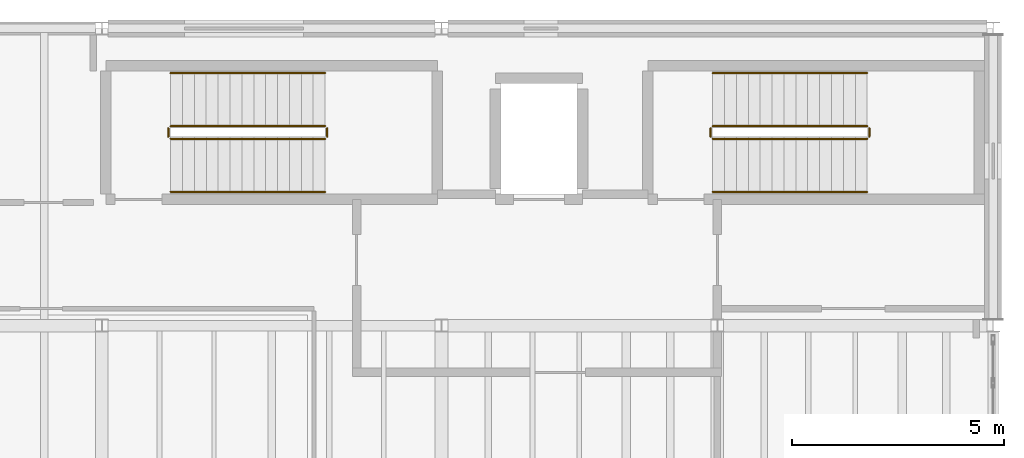
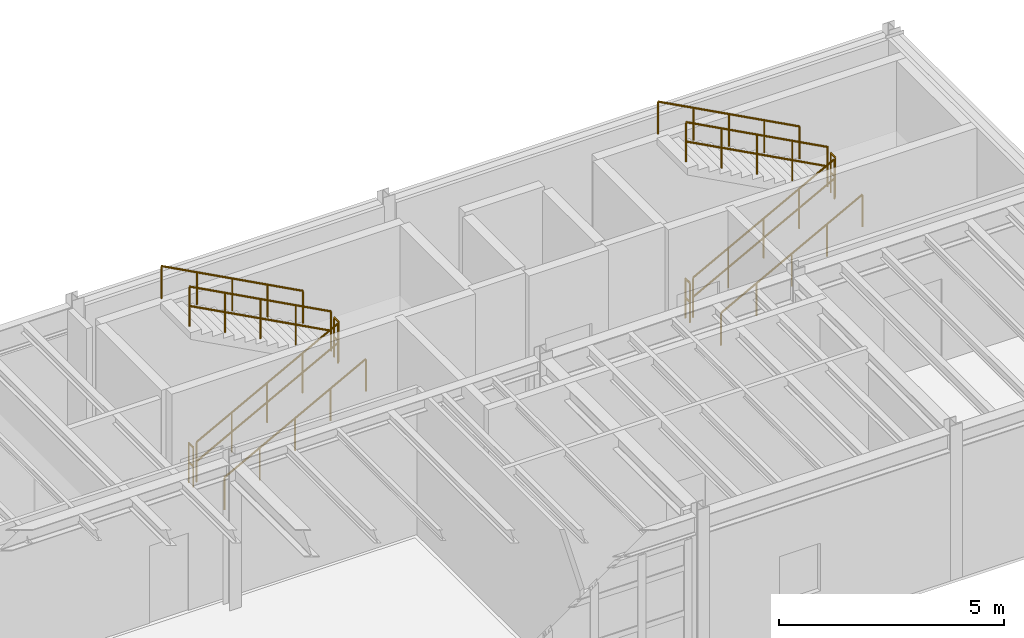
# One storey, part 11 of 11: 12 railings.
"""IFC4 building model written with IfcOpenShell, lengths in metres."""

from ifc_helpers import new_model, si_unit, direction, frame, origin, origin_2d, place, context, subcontext, project, spatial, circle, extrude, material, type_object, element, save


model = new_model("IFC4")

# Units and contexts
model_context = context("Model", 3, precision=1e-05, world=origin(), true_north=direction((0.0, 1.0)))
body_context = subcontext(model_context, "Body", "Model", "MODEL_VIEW")
ifc_project = project(units=[si_unit("LENGTHUNIT", "METRE"), si_unit("AREAUNIT", "SQUARE_METRE"), si_unit("VOLUMEUNIT", "CUBIC_METRE"), si_unit("PLANEANGLEUNIT", "RADIAN"), si_unit("MASSUNIT", "GRAM", prefix="KILO"), si_unit("THERMODYNAMICTEMPERATUREUNIT", "KELVIN"), si_unit("POWERUNIT", "WATT")], contexts=[model_context])

# Site, building, storey
site_placement = place(None, origin())
site = spatial("IfcSite", under=ifc_project, at=site_placement, CompositionType="ELEMENT")
building_placement = place(site_placement, origin())
building = spatial("IfcBuilding", under=site, at=building_placement, Name="Zhenchuan Central Fire Station", CompositionType="ELEMENT")
storey_placement = place(building_placement, frame((0.0, 0.0, 18.449951171875)))
storey = spatial("IfcBuildingStorey", under=building, at=storey_placement, Name="L05", CompositionType="ELEMENT", Elevation=18.449951171875)

# Railings
ifc_material_1 = material(Name="Galvanised powder-coated steel", Category="steel")
railing_type_1 = type_object("IfcRailingType", Name="RL-ST-GRD", PredefinedType="GUARDRAIL", material=ifc_material_1)
railing_1_placement = place(storey_placement, frame((141.6201171875, 53.89990234375, 0.150146484375)))
element("IfcRailing", 1, at=railing_1_placement, inside=storey, type_object=railing_type_1, Name="L05 ST-12 stair guard 1", PredefinedType="GUARDRAIL", context=body_context, shape_type="SweptSolid", body=[
    extrude(circle(Radius=0.02392578125, at=origin_2d()), frame((0.0, 0.0, 1.076171875), z_axis=(0.881479091078, 0.0, 0.472223053219), x_axis=(0.0, 1.0, 0.0)), (0.0, 0.0, 1.0), 4.12939453125),
    extrude(circle(Radius=0.02392578125, at=origin_2d()), frame((0.0, 0.0, 0.550048828125), z_axis=(0.881479091078, 0.0, 0.472223053219), x_axis=(0.0, 1.0, 0.0)), (0.0, 0.0, 1.0), 4.12939453125),
    extrude(circle(Radius=0.02099609375, at=origin_2d()), origin(), (0.0, 0.0, 1.0), 1.052001953125),
    extrude(circle(Radius=0.02099609375, at=origin_2d()), frame((0.909912109375, 0.0, 0.487548828125)), (0.0, 0.0, 1.0), 1.052001953125),
    extrude(circle(Radius=0.02099609375, at=origin_2d()), frame((1.81982421875, 0.0, 0.97509765625)), (0.0, 0.0, 1.0), 1.052001953125),
    extrude(circle(Radius=0.02099609375, at=origin_2d()), frame((2.72998046875, 0.0, 1.46240234375)), (0.0, 0.0, 1.0), 1.052001953125),
    extrude(circle(Radius=0.02099609375, at=origin_2d()), frame((3.639892578125, 0.0, 1.949951171875)), (0.0, 0.0, 1.0), 1.052001953125),
])
railing_2_placement = place(storey_placement, frame((145.31005859375, 53.949951171875, 2.10009765625)))
element("IfcRailing", 2, at=railing_2_placement, inside=storey, type_object=railing_type_1, Name="L05 ST-12 stair guard 2", PredefinedType="GUARDRAIL", context=body_context, shape_type="SweptSolid", body=[
    extrude(circle(Radius=0.02392578125, at=origin_2d()), frame((0.0, 0.0, 1.076171875), z_axis=(0.0, 1.0, 0.0), x_axis=(-1.0, 0.0, 0.0)), (0.0, 0.0, 1.0), 0.199951171875),
    extrude(circle(Radius=0.02392578125, at=origin_2d()), frame((0.0, 0.0, 0.550048828125), z_axis=(0.0, 1.0, 0.0), x_axis=(-1.0, 0.0, 0.0)), (0.0, 0.0, 1.0), 0.199951171875),
    extrude(circle(Radius=0.02099609375, at=origin_2d()), origin(), (0.0, 0.0, 1.0), 1.052001953125),
    extrude(circle(Radius=0.02099609375, at=origin_2d()), frame((0.0, 0.199951171875, 0.0)), (0.0, 0.0, 1.0), 1.052001953125),
])
railing_3_placement = place(storey_placement, frame((145.260009765625, 54.199951171875, 2.25)))
element("IfcRailing", 3, at=railing_3_placement, inside=storey, type_object=railing_type_1, Name="L05 ST-12 stair guard 3", PredefinedType="GUARDRAIL", context=body_context, shape_type="SweptSolid", body=[
    extrude(circle(Radius=0.02392578125, at=origin_2d()), frame((0.0, 0.0, 1.076171875), z_axis=(-0.881479091078, 0.0, 0.472223053219), x_axis=(0.0, -1.0, 0.0)), (0.0, 0.0, 1.0), 4.12939453125),
    extrude(circle(Radius=0.02392578125, at=origin_2d()), frame((0.0, 0.0, 0.550048828125), z_axis=(-0.881479091078, 0.0, 0.472223053219), x_axis=(0.0, -1.0, 0.0)), (0.0, 0.0, 1.0), 4.12939453125),
    extrude(circle(Radius=0.02099609375, at=origin_2d()), origin(), (0.0, 0.0, 1.0), 1.052001953125),
    extrude(circle(Radius=0.02099609375, at=origin_2d()), frame((-0.909912109375, 0.0, 0.487548828125)), (0.0, 0.0, 1.0), 1.052001953125),
    extrude(circle(Radius=0.02099609375, at=origin_2d()), frame((-1.81982421875, 0.0, 0.97509765625)), (0.0, 0.0, 1.0), 1.052001953125),
    extrude(circle(Radius=0.02099609375, at=origin_2d()), frame((-2.72998046875, 0.0, 1.46240234375)), (0.0, 0.0, 1.0), 1.052001953125),
    extrude(circle(Radius=0.02099609375, at=origin_2d()), frame((-3.639892578125, 0.0, 1.949951171875)), (0.0, 0.0, 1.0), 1.052001953125),
])
railing_4_placement = place(storey_placement, frame((141.570068359375, 53.949951171875, 0.0)))
element("IfcRailing", 4, at=railing_4_placement, inside=storey, type_object=railing_type_1, Name="L05 ST-12 stair guard 4", PredefinedType="GUARDRAIL", context=body_context, shape_type="SweptSolid", body=[
    extrude(circle(Radius=0.02392578125, at=origin_2d()), frame((0.0, 0.0, 1.076171875), z_axis=(0.0, 1.0, 0.0), x_axis=(-1.0, 0.0, 0.0)), (0.0, 0.0, 1.0), 0.199951171875),
    extrude(circle(Radius=0.02392578125, at=origin_2d()), frame((0.0, 0.0, 0.550048828125), z_axis=(0.0, 1.0, 0.0), x_axis=(-1.0, 0.0, 0.0)), (0.0, 0.0, 1.0), 0.199951171875),
    extrude(circle(Radius=0.02099609375, at=origin_2d()), origin(), (0.0, 0.0, 1.0), 1.052001953125),
    extrude(circle(Radius=0.02099609375, at=origin_2d()), frame((0.0, 0.199951171875, 0.0)), (0.0, 0.0, 1.0), 1.052001953125),
])
railing_5_placement = place(storey_placement, frame((154.389892578125, 53.89990234375, 0.150146484375)))
element("IfcRailing", 5, at=railing_5_placement, inside=storey, type_object=railing_type_1, Name="L05 ST-13 stair guard 1", PredefinedType="GUARDRAIL", context=body_context, shape_type="SweptSolid", body=[
    extrude(circle(Radius=0.02392578125, at=origin_2d()), frame((0.0, 0.0, 1.076171875), z_axis=(0.881492274372, 0.0, 0.472198443689), x_axis=(0.0, 1.0, 0.0)), (0.0, 0.0, 1.0), 4.12939453125),
    extrude(circle(Radius=0.02392578125, at=origin_2d()), frame((0.0, 0.0, 0.550048828125), z_axis=(0.881492274372, 0.0, 0.472198443689), x_axis=(0.0, 1.0, 0.0)), (0.0, 0.0, 1.0), 4.12939453125),
    extrude(circle(Radius=0.02099609375, at=origin_2d()), origin(), (0.0, 0.0, 1.0), 1.052001953125),
    extrude(circle(Radius=0.02099609375, at=origin_2d()), frame((0.91015625, 0.0, 0.487548828125)), (0.0, 0.0, 1.0), 1.052001953125),
    extrude(circle(Radius=0.02099609375, at=origin_2d()), frame((1.820068359375, 0.0, 0.97509765625)), (0.0, 0.0, 1.0), 1.052001953125),
    extrude(circle(Radius=0.02099609375, at=origin_2d()), frame((2.72998046875, 0.0, 1.46240234375)), (0.0, 0.0, 1.0), 1.052001953125),
    extrude(circle(Radius=0.02099609375, at=origin_2d()), frame((3.64013671875, 0.0, 1.949951171875)), (0.0, 0.0, 1.0), 1.052001953125),
])
railing_6_placement = place(storey_placement, frame((158.080078125, 53.949951171875, 2.10009765625)))
element("IfcRailing", 6, at=railing_6_placement, inside=storey, type_object=railing_type_1, Name="L05 ST-13 stair guard 2", PredefinedType="GUARDRAIL", context=body_context, shape_type="SweptSolid", body=[
    extrude(circle(Radius=0.02392578125, at=origin_2d()), frame((0.0, 0.0, 1.076171875), z_axis=(0.0, 1.0, 0.0), x_axis=(-1.0, 0.0, 0.0)), (0.0, 0.0, 1.0), 0.199951171875),
    extrude(circle(Radius=0.02392578125, at=origin_2d()), frame((0.0, 0.0, 0.550048828125), z_axis=(0.0, 1.0, 0.0), x_axis=(-1.0, 0.0, 0.0)), (0.0, 0.0, 1.0), 0.199951171875),
    extrude(circle(Radius=0.02099609375, at=origin_2d()), origin(), (0.0, 0.0, 1.0), 1.052001953125),
    extrude(circle(Radius=0.02099609375, at=origin_2d()), frame((0.0, 0.199951171875, 0.0)), (0.0, 0.0, 1.0), 1.052001953125),
])
railing_7_placement = place(storey_placement, frame((158.030029296875, 54.199951171875, 2.25)))
element("IfcRailing", 7, at=railing_7_placement, inside=storey, type_object=railing_type_1, Name="L05 ST-13 stair guard 3", PredefinedType="GUARDRAIL", context=body_context, shape_type="SweptSolid", body=[
    extrude(circle(Radius=0.02392578125, at=origin_2d()), frame((0.0, 0.0, 1.076171875), z_axis=(-0.881492274372, 0.0, 0.472198443689), x_axis=(0.0, -1.0, 0.0)), (0.0, 0.0, 1.0), 4.12939453125),
    extrude(circle(Radius=0.02392578125, at=origin_2d()), frame((0.0, 0.0, 0.550048828125), z_axis=(-0.881492274372, 0.0, 0.472198443689), x_axis=(0.0, -1.0, 0.0)), (0.0, 0.0, 1.0), 4.12939453125),
    extrude(circle(Radius=0.02099609375, at=origin_2d()), origin(), (0.0, 0.0, 1.0), 1.052001953125),
    extrude(circle(Radius=0.02099609375, at=origin_2d()), frame((-0.91015625, 0.0, 0.487548828125)), (0.0, 0.0, 1.0), 1.052001953125),
    extrude(circle(Radius=0.02099609375, at=origin_2d()), frame((-1.820068359375, 0.0, 0.97509765625)), (0.0, 0.0, 1.0), 1.052001953125),
    extrude(circle(Radius=0.02099609375, at=origin_2d()), frame((-2.72998046875, 0.0, 1.46240234375)), (0.0, 0.0, 1.0), 1.052001953125),
    extrude(circle(Radius=0.02099609375, at=origin_2d()), frame((-3.64013671875, 0.0, 1.949951171875)), (0.0, 0.0, 1.0), 1.052001953125),
])
railing_8_placement = place(storey_placement, frame((154.340087890625, 53.949951171875, 0.0)))
element("IfcRailing", 8, at=railing_8_placement, inside=storey, type_object=railing_type_1, Name="L05 ST-13 stair guard 4", PredefinedType="GUARDRAIL", context=body_context, shape_type="SweptSolid", body=[
    extrude(circle(Radius=0.02392578125, at=origin_2d()), frame((0.0, 0.0, 1.076171875), z_axis=(0.0, 1.0, 0.0), x_axis=(-1.0, 0.0, 0.0)), (0.0, 0.0, 1.0), 0.199951171875),
    extrude(circle(Radius=0.02392578125, at=origin_2d()), frame((0.0, 0.0, 0.550048828125), z_axis=(0.0, 1.0, 0.0), x_axis=(-1.0, 0.0, 0.0)), (0.0, 0.0, 1.0), 0.199951171875),
    extrude(circle(Radius=0.02099609375, at=origin_2d()), origin(), (0.0, 0.0, 1.0), 1.052001953125),
    extrude(circle(Radius=0.02099609375, at=origin_2d()), frame((0.0, 0.199951171875, 0.0)), (0.0, 0.0, 1.0), 1.052001953125),
])
ifc_material_2 = material(Name="Brushed stainless steel handrail", Category="steel")
railing_type_2 = type_object("IfcRailingType", Name="RL-ST-HND", PredefinedType="HANDRAIL", material=ifc_material_2)
railing_9_placement = place(storey_placement, frame((141.6201171875, 52.64990234375, 0.150146484375)))
element("IfcRailing", 9, at=railing_9_placement, inside=storey, type_object=railing_type_2, Name="L05 ST-12 stair handrail 1", PredefinedType="HANDRAIL", context=body_context, shape_type="SweptSolid", body=[
    extrude(circle(Radius=0.02392578125, at=origin_2d()), frame((0.0, 0.0, 0.8759765625), z_axis=(0.881479091078, 0.0, 0.472223053219), x_axis=(0.0, 1.0, 0.0)), (0.0, 0.0, 1.0), 4.12939453125),
    extrude(circle(Radius=0.02099609375, at=origin_2d()), origin(), (0.0, 0.0, 1.0), 0.851806640625),
    extrude(circle(Radius=0.02099609375, at=origin_2d()), frame((0.909912109375, 0.0, 0.487548828125)), (0.0, 0.0, 1.0), 0.851806640625),
    extrude(circle(Radius=0.02099609375, at=origin_2d()), frame((1.81982421875, 0.0, 0.97509765625)), (0.0, 0.0, 1.0), 0.851806640625),
    extrude(circle(Radius=0.02099609375, at=origin_2d()), frame((2.72998046875, 0.0, 1.46240234375)), (0.0, 0.0, 1.0), 0.851806640625),
    extrude(circle(Radius=0.02099609375, at=origin_2d()), frame((3.639892578125, 0.0, 1.949951171875)), (0.0, 0.0, 1.0), 0.851806640625),
])
railing_10_placement = place(storey_placement, frame((145.260009765625, 55.449951171875, 2.25)))
element("IfcRailing", 10, at=railing_10_placement, inside=storey, type_object=railing_type_2, Name="L05 ST-12 stair handrail 2", PredefinedType="HANDRAIL", context=body_context, shape_type="SweptSolid", body=[
    extrude(circle(Radius=0.02392578125, at=origin_2d()), frame((0.0, 0.0, 0.8759765625), z_axis=(-0.881479091078, 0.0, 0.472223053219), x_axis=(0.0, -1.0, 0.0)), (0.0, 0.0, 1.0), 4.12939453125),
    extrude(circle(Radius=0.02099609375, at=origin_2d()), origin(), (0.0, 0.0, 1.0), 0.851806640625),
    extrude(circle(Radius=0.02099609375, at=origin_2d()), frame((-0.909912109375, 0.0, 0.487548828125)), (0.0, 0.0, 1.0), 0.851806640625),
    extrude(circle(Radius=0.02099609375, at=origin_2d()), frame((-1.81982421875, 0.0, 0.97509765625)), (0.0, 0.0, 1.0), 0.851806640625),
    extrude(circle(Radius=0.02099609375, at=origin_2d()), frame((-2.72998046875, 0.0, 1.46240234375)), (0.0, 0.0, 1.0), 0.851806640625),
    extrude(circle(Radius=0.02099609375, at=origin_2d()), frame((-3.639892578125, 0.0, 1.949951171875)), (0.0, 0.0, 1.0), 0.851806640625),
])
railing_11_placement = place(storey_placement, frame((154.389892578125, 52.64990234375, 0.150146484375)))
element("IfcRailing", 11, at=railing_11_placement, inside=storey, type_object=railing_type_2, Name="L05 ST-13 stair handrail 1", PredefinedType="HANDRAIL", context=body_context, shape_type="SweptSolid", body=[
    extrude(circle(Radius=0.02392578125, at=origin_2d()), frame((0.0, 0.0, 0.8759765625), z_axis=(0.881492274372, 0.0, 0.472198443689), x_axis=(0.0, 1.0, 0.0)), (0.0, 0.0, 1.0), 4.12939453125),
    extrude(circle(Radius=0.02099609375, at=origin_2d()), origin(), (0.0, 0.0, 1.0), 0.851806640625),
    extrude(circle(Radius=0.02099609375, at=origin_2d()), frame((0.91015625, 0.0, 0.487548828125)), (0.0, 0.0, 1.0), 0.851806640625),
    extrude(circle(Radius=0.02099609375, at=origin_2d()), frame((1.820068359375, 0.0, 0.97509765625)), (0.0, 0.0, 1.0), 0.851806640625),
    extrude(circle(Radius=0.02099609375, at=origin_2d()), frame((2.72998046875, 0.0, 1.46240234375)), (0.0, 0.0, 1.0), 0.851806640625),
    extrude(circle(Radius=0.02099609375, at=origin_2d()), frame((3.64013671875, 0.0, 1.949951171875)), (0.0, 0.0, 1.0), 0.851806640625),
])
railing_12_placement = place(storey_placement, frame((158.030029296875, 55.449951171875, 2.25)))
element("IfcRailing", 12, at=railing_12_placement, inside=storey, type_object=railing_type_2, Name="L05 ST-13 stair handrail 2", PredefinedType="HANDRAIL", context=body_context, shape_type="SweptSolid", body=[
    extrude(circle(Radius=0.02392578125, at=origin_2d()), frame((0.0, 0.0, 0.8759765625), z_axis=(-0.881492274372, 0.0, 0.472198443689), x_axis=(0.0, -1.0, 0.0)), (0.0, 0.0, 1.0), 4.12939453125),
    extrude(circle(Radius=0.02099609375, at=origin_2d()), origin(), (0.0, 0.0, 1.0), 0.851806640625),
    extrude(circle(Radius=0.02099609375, at=origin_2d()), frame((-0.91015625, 0.0, 0.487548828125)), (0.0, 0.0, 1.0), 0.851806640625),
    extrude(circle(Radius=0.02099609375, at=origin_2d()), frame((-1.820068359375, 0.0, 0.97509765625)), (0.0, 0.0, 1.0), 0.851806640625),
    extrude(circle(Radius=0.02099609375, at=origin_2d()), frame((-2.72998046875, 0.0, 1.46240234375)), (0.0, 0.0, 1.0), 0.851806640625),
    extrude(circle(Radius=0.02099609375, at=origin_2d()), frame((-3.64013671875, 0.0, 1.949951171875)), (0.0, 0.0, 1.0), 0.851806640625),
])

save(model, "model.ifc")
